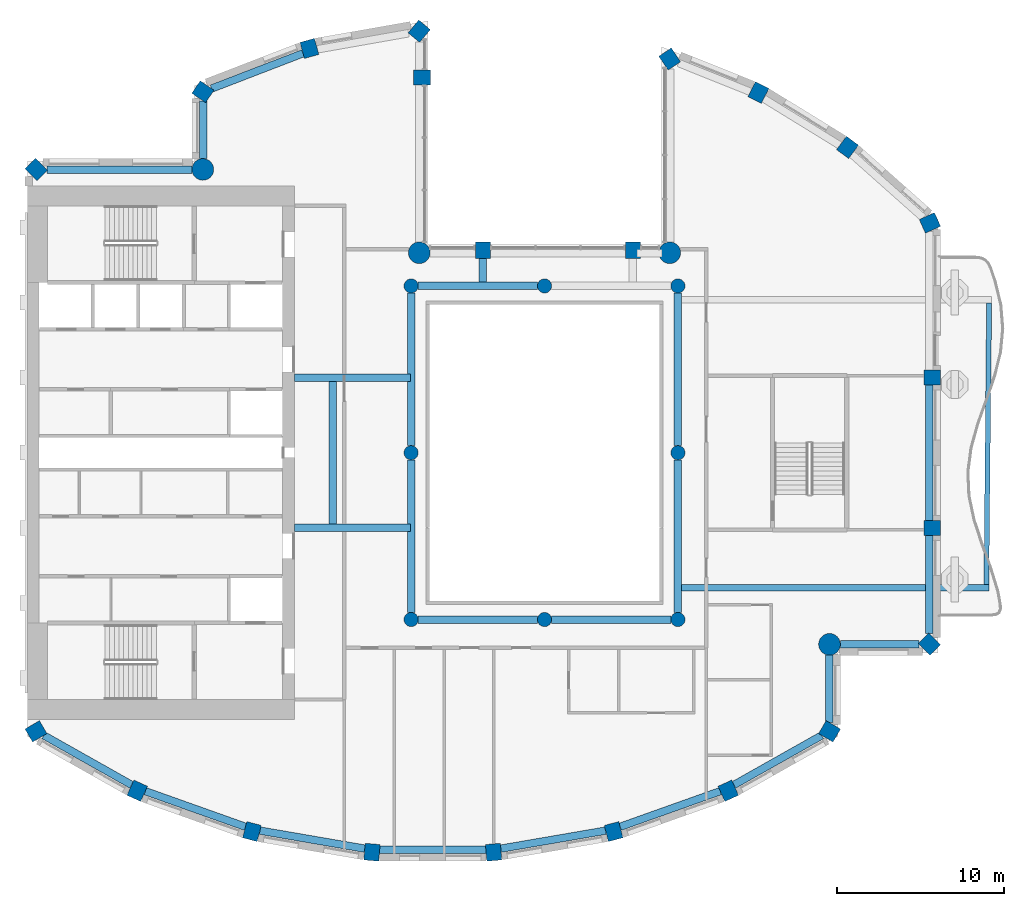
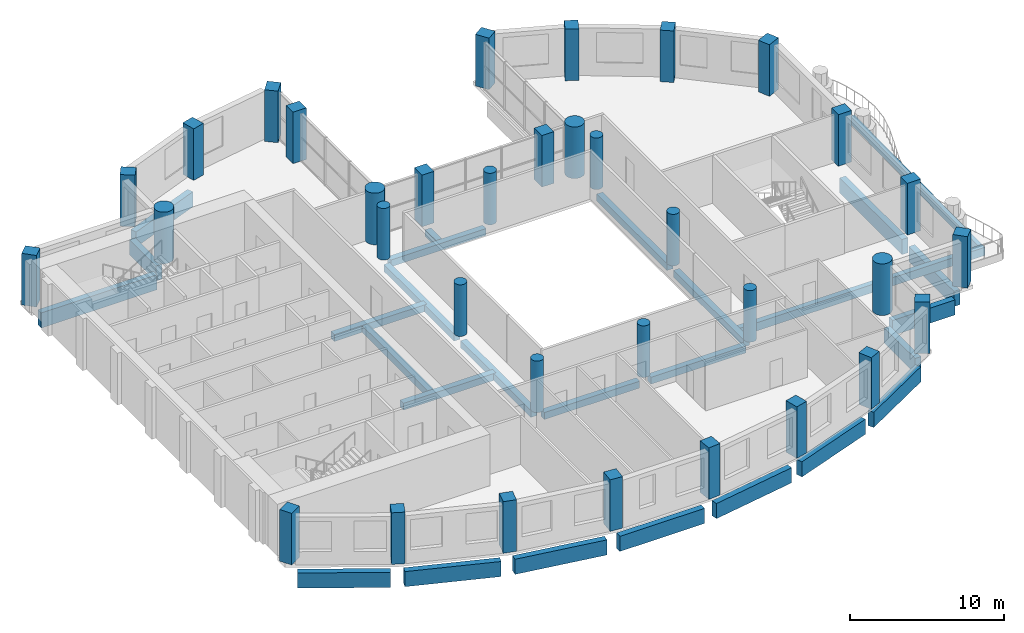
# One storey, part 1 of 14: 34 columns, 27 beams.
"""IFC4 building model written with IfcOpenShell, lengths in metres."""

from ifc_helpers import new_model, si_unit, direction, frame, origin, origin_2d, place, context, subcontext, project, spatial, rectangle, circle, extrude, material, material_profile, profile_set, type_object, element, save


model = new_model("IFC4")

# Units and contexts
model_context = context("Model", 3, precision=1e-05, world=origin(), true_north=direction((0.0, 1.0)))
body_context = subcontext(model_context, "Body", "Model", "MODEL_VIEW")
ifc_project = project(units=[si_unit("LENGTHUNIT", "METRE"), si_unit("AREAUNIT", "SQUARE_METRE"), si_unit("VOLUMEUNIT", "CUBIC_METRE"), si_unit("PLANEANGLEUNIT", "RADIAN"), si_unit("MASSUNIT", "GRAM", prefix="KILO")], contexts=[model_context])

# Site, building, storey
site_placement = place(None, origin())
site = spatial("IfcSite", under=ifc_project, at=site_placement, CompositionType="ELEMENT")
building_placement = place(site_placement, origin())
building = spatial("IfcBuilding", under=site, at=building_placement, Name="Cypress Arch Tower", CompositionType="ELEMENT")
storey_placement = place(building_placement, frame((0.0, 0.0, 272.10009765625)))
storey = spatial("IfcBuildingStorey", under=building, at=storey_placement, Name="L61", CompositionType="ELEMENT", Elevation=272.10009765625)

# Columns
ifc_material_1 = material(Name="Concrete C60/75", Category="concrete")
ifc_material_profile_1 = material_profile(ifc_material_1, rectangle(XDim=0.89990234375, YDim=1.0, at=origin_2d()), Name="RC 900x1000")
ifc_profile_set_1 = profile_set([ifc_material_profile_1], Name="Concrete C60/75")
column_type_1 = type_object("IfcColumnType", Name="Column RC 900x1000 Concrete C60/75", PredefinedType="COLUMN", material=ifc_profile_set_1)
for number, where, z_axis, x_axis, name in (
    (1, (8.5029296875, 23.606201171875, 0.0), (0.0, 0.0, 1.0), (-0.828469606019, -0.560034027451, 0.0), "Column L61 CC00"),
    (2, (6.300048828125, 12.14990234375, 0.0), (0.0, 0.0, 1.0), (-1.0, 0.0, 0.0), "Column L61 CC02"),
    (3, (-2.699951171875, 12.14990234375, 0.0), (0.0, 0.0, 1.0), (-1.0, 0.0, 0.0), "Column L61 CC03"),
    (4, (-6.35009765625, 22.5, 0.0), (0.0, 0.0, 1.0), (0.0, 1.0, 0.0), "Column L61 CC05"),
    (5, (-6.51611328125, 25.27490234375, 0.0), (0.0, 0.0, 1.0), (-0.766063514674, 0.642764880407, 0.0), "Column L61 CC06"),
    (6, (-13.0947265625, 24.241455078125, 0.0), (0.0, 0.0, 1.0), (-0.96345574646, -0.267867550506, 0.0), "Column L61 CC07"),
    (7, (-19.483154296875, 21.645263671875, 0.0), (0.0, 0.0, 1.0), (-0.565892599589, -0.824478966215, 0.0), "Column L61 CC08"),
    (8, (-29.478271484375, 16.978271484375, 0.0), (0.0, 0.0, 1.0), (-0.707106781187, -0.707106781187, 0.0), "Column L61 CC10"),
    (9, (-29.4912109375, -16.702880859375, 0.0), (0.0, 0.0, 1.0), (0.504399289829, -0.86347053014, 0.0), "Column L61 CC11"),
    (10, (-23.4189453125, -20.266845703125, 0.0), (0.0, 0.0, 1.0), (0.909932071487, -0.414757308891, 0.0), "Column L61 CC12"),
    (11, (-16.541748046875, -22.714599609375, 0.0), (0.0, 0.0, 1.0), (0.96735573689, -0.2534223319, 0.0), "Column L61 CC13"),
    (12, (-9.346923828125, -23.95361328125, 0.0), (0.0, 0.0, 1.0), (0.996368206733, -0.085149260784, 0.0), "Column L61 CC14"),
    (13, (-2.052978515625, -23.95361328125, 0.0), (0.0, 0.0, 1.0), (0.996368206733, 0.085149260784, 0.0), "Column L61 CC15"),
    (14, (5.1416015625, -22.714599609375, 0.0), (0.0, 0.0, 1.0), (0.96735573689, 0.2534223319, 0.0), "Column L61 CC16"),
    (15, (12.01904296875, -20.266845703125, 0.0), (0.0, 0.0, 1.0), (0.909932071487, 0.414757308891, 0.0), "Column L61 CC17"),
    (16, (18.09130859375, -16.702880859375, 0.0), (0.0, 0.0, 1.0), (0.504399289829, 0.86347053014, 0.0), "Column L61 CC18"),
    (17, (24.078369140625, -11.478271484375, 0.0), (0.0, 0.0, 1.0), (0.707106781187, 0.707106781187, 0.0), "Column L61 CC20"),
    (18, (24.25, -4.5, 0.0), (0.0, 0.0, 1.0), (0.0, 1.0, 0.0), "Column L61 CC21"),
    (19, (24.25, 4.5, 0.0), (0.0, 0.0, 1.0), (0.0, 1.0, 0.0), "Column L61 CC22"),
    (20, (24.109619140625, 13.77978515625, 0.0), (0.0, 0.0, 1.0), (-0.409765058504, 0.912191096662, 0.0), "Column L61 CC23"),
    (21, (19.168212890625, 18.307861328125, 0.0), (0.0, 0.0, 1.0), (-0.802798546114, 0.596250362144, 0.0), "Column L61 CC24"),
    (22, (13.82568359375, 21.59375, 0.0), (0.0, 0.0, 1.0), (-0.893106499805, 0.44984528452, 0.0), "Column L61 CC25"),
):
    element("IfcColumn", number, at=place(storey_placement, frame(where, z_axis=z_axis, x_axis=x_axis)), inside=storey, type_object=column_type_1, Name=name, PredefinedType="COLUMN", context=body_context, shape_type="SweptSolid", body=[
        extrude(rectangle(XDim=0.89990234375, YDim=1.0, at=origin_2d()), origin(), (0.0, 0.0, 1.0), 4.099853515625),
    ])
ifc_material_2 = material(Name="Concrete C60/75", Category="concrete")
ifc_material_profile_2 = material_profile(ifc_material_2, circle(Radius=0.425048828125, at=origin_2d()), Name="RC D850")
ifc_profile_set_2 = profile_set([ifc_material_profile_2], Name="Concrete C60/75")
column_type_2 = type_object("IfcColumnType", Name="Column RC D850 Concrete C60/75", PredefinedType="COLUMN", material=ifc_profile_set_2)
for number, where, z_axis, x_axis, name in (
    (23, (-7.0, -10.0, 0.0), (0.0, 0.0, 1.0), (1.0, 0.0, 0.0), "Column L61 RNG-L61-G-7-10"),
    (24, (-7.0, 0.0, 0.0), (0.0, 0.0, 1.0), (1.0, 0.0, 0.0), "Column L61 RNG-L61-G-7+0"),
    (25, (-7.0, 10.0, 0.0), (0.0, 0.0, 1.0), (1.0, 0.0, 0.0), "Column L61 RNG-L61-G-7+10"),
    (26, (1.0, -10.0, 0.0), (0.0, 0.0, 1.0), (1.0, 0.0, 0.0), "Column L61 RNG-L61-G+1-10"),
    (27, (1.0, 10.0, 0.0), (0.0, 0.0, 1.0), (1.0, 0.0, 0.0), "Column L61 RNG-L61-G+1+10"),
    (28, (9.0, -10.0, 0.0), (0.0, 0.0, 1.0), (1.0, 0.0, 0.0), "Column L61 RNG-L61-G+9-10"),
    (29, (9.0, 0.0, 0.0), (0.0, 0.0, 1.0), (1.0, 0.0, 0.0), "Column L61 RNG-L61-G+9+0"),
    (30, (9.0, 10.0, 0.0), (0.0, 0.0, 1.0), (1.0, 0.0, 0.0), "Column L61 RNG-L61-G+9+10"),
):
    element("IfcColumn", number, at=place(storey_placement, frame(where, z_axis=z_axis, x_axis=x_axis)), inside=storey, type_object=column_type_2, Name=name, PredefinedType="COLUMN", context=body_context, shape_type="SweptSolid", body=[
        extrude(circle(Radius=0.425048828125, at=origin_2d()), origin(), (0.0, 0.0, 1.0), 4.099853515625),
    ])
ifc_material_3 = material(Name="Concrete C60/75", Category="concrete")
ifc_material_profile_3 = material_profile(ifc_material_3, circle(Radius=0.64990234375, at=origin_2d()), Name="RC D1300")
ifc_profile_set_3 = profile_set([ifc_material_profile_3], Name="Concrete C60/75")
column_type_3 = type_object("IfcColumnType", Name="Mega-column RC D1300 Concrete C60/75", PredefinedType="COLUMN", material=ifc_profile_set_3)
for number, where, z_axis, x_axis, name in (
    (31, (8.51220703125, 11.98779296875, 0.0), (0.0, 0.0, 1.0), (1.0, 0.0, 0.0), "Column L61 CC01"),
    (32, (-6.51220703125, 11.98779296875, 0.0), (0.0, 0.0, 1.0), (1.0, 0.0, 0.0), "Column L61 CC04"),
    (33, (-19.48779296875, 16.98779296875, 0.0), (0.0, 0.0, 1.0), (1.0, 0.0, 0.0), "Column L61 CC09"),
    (34, (18.087890625, -11.48779296875, 0.0), (0.0, 0.0, 1.0), (1.0, 0.0, 0.0), "Column L61 CC19"),
):
    element("IfcColumn", number, at=place(storey_placement, frame(where, z_axis=z_axis, x_axis=x_axis)), inside=storey, type_object=column_type_3, Name=name, PredefinedType="COLUMN", context=body_context, shape_type="SweptSolid", body=[
        extrude(circle(Radius=0.64990234375, at=origin_2d()), origin(), (0.0, 0.0, 1.0), 4.099853515625),
    ])

# Beams
ifc_material_4 = material(Name="Concrete C50/60", Category="concrete")
ifc_material_profile_4 = material_profile(ifc_material_4, rectangle(XDim=0.300048828125, YDim=0.64990234375, at=origin_2d()), Name="RC 300x650")
ifc_profile_set_4 = profile_set([ifc_material_profile_4], Name="Concrete C50/60")
beam_type_1 = type_object("IfcBeamType", Name="Balcony edge beam RC 300x650 Concrete C50/60", PredefinedType="BEAM", material=ifc_profile_set_4)
beam_1_placement = place(storey_placement, frame((27.492919921875, -7.89990234375, -0.625), z_axis=(0.009731864031, 0.99995264429, 0.0), x_axis=(-0.99995264429, 0.009731864031, 0.0)))
element("IfcBeam", 35, at=beam_1_placement, inside=storey, type_object=beam_type_1, Name="Balcony edge beam L61 C17", PredefinedType="BEAM", context=body_context, shape_type="SweptSolid", body=[
    extrude(rectangle(XDim=0.300048828125, YDim=0.64990234375, at=origin_2d()), origin(), (0.0, 0.0, 1.0), 16.88330078125),
])
ifc_material_5 = material(Name="Concrete C50/60", Category="concrete")
ifc_material_profile_5 = material_profile(ifc_material_5, rectangle(XDim=0.39990234375, YDim=0.64990234375, at=origin_2d()), Name="RC 400x650")
ifc_profile_set_5 = profile_set([ifc_material_profile_5], Name="Concrete C50/60")
beam_type_2 = type_object("IfcBeamType", Name="Cantilever beam RC 400x650 Concrete C50/60", PredefinedType="BEAM", material=ifc_profile_set_5)
beam_2_placement = place(storey_placement, frame((9.22509765625, -8.10009765625, -0.625), z_axis=(1.0, 0.0, 0.0), x_axis=(0.0, 1.0, 0.0)))
element("IfcBeam", 36, at=beam_2_placement, inside=storey, type_object=beam_type_2, Name="Cantilever beam L61 C17 1", PredefinedType="BEAM", context=body_context, shape_type="SweptSolid", body=[
    extrude(rectangle(XDim=0.39990234375, YDim=0.64990234375, at=origin_2d()), origin(), (0.0, 0.0, 1.0), 18.417724609375),
])
ifc_material_6 = material(Name="Concrete C50/60", Category="concrete")
ifc_material_profile_6 = material_profile(ifc_material_6, rectangle(XDim=0.449951171875, YDim=0.550048828125, at=origin_2d()), Name="RC 450x550")
ifc_profile_set_6 = profile_set([ifc_material_profile_6], Name="Concrete C50/60")
beam_type_3 = type_object("IfcBeamType", Name="Floor beam RC 450x550 Concrete C50/60", PredefinedType="BEAM", material=ifc_profile_set_6)
for number, where, z_axis, x_axis, name in (
    (37, (-7.0, -9.574951171875, -0.5751953125), (0.0, 1.0, 0.0), (-1.0, 0.0, 0.0), "Floor beam L61 RB001"),
    (38, (-7.0, 0.425048828125, -0.5751953125), (0.0, 1.0, 0.0), (-1.0, 0.0, 0.0), "Floor beam L61 RB002"),
    (39, (9.0, -9.574951171875, -0.5751953125), (0.0, 1.0, 0.0), (-1.0, 0.0, 0.0), "Floor beam L61 RB003"),
    (40, (9.0, 0.425048828125, -0.5751953125), (0.0, 1.0, 0.0), (-1.0, 0.0, 0.0), "Floor beam L61 RB004"),
):
    element("IfcBeam", number, at=place(storey_placement, frame(where, z_axis=z_axis, x_axis=x_axis)), inside=storey, type_object=beam_type_3, Name=name, PredefinedType="BEAM", context=body_context, shape_type="SweptSolid", body=[
        extrude(rectangle(XDim=0.449951171875, YDim=0.550048828125, at=origin_2d()), origin(), (0.0, 0.0, 1.0), 9.14990234375),
    ])
for number, where, z_axis, x_axis, name in (
    (41, (-6.574951171875, -10.0, -0.5751953125), (1.0, 0.0, 0.0), (0.0, 1.0, 0.0), "Floor beam L61 RB005"),
    (42, (1.425048828125, -10.0, -0.5751953125), (1.0, 0.0, 0.0), (0.0, 1.0, 0.0), "Floor beam L61 RB006"),
    (43, (-6.574951171875, 10.0, -0.5751953125), (1.0, 0.0, 0.0), (0.0, 1.0, 0.0), "Floor beam L61 RB007"),
):
    element("IfcBeam", number, at=place(storey_placement, frame(where, z_axis=z_axis, x_axis=x_axis)), inside=storey, type_object=beam_type_3, Name=name, PredefinedType="BEAM", context=body_context, shape_type="SweptSolid", body=[
        extrude(rectangle(XDim=0.449951171875, YDim=0.550048828125, at=origin_2d()), origin(), (0.0, 0.0, 1.0), 7.14990234375),
    ])
for number, where, z_axis, x_axis, name in (
    (44, (-14.0, -4.5, -0.5751953125), (1.0, 0.0, 0.0), (0.0, 1.0, 0.0), "Floor beam L61 FB009"),
    (45, (-14.0, 4.5, -0.5751953125), (1.0, 0.0, 0.0), (0.0, 1.0, 0.0), "Floor beam L61 FB010"),
):
    element("IfcBeam", number, at=place(storey_placement, frame(where, z_axis=z_axis, x_axis=x_axis)), inside=storey, type_object=beam_type_3, Name=name, PredefinedType="BEAM", context=body_context, shape_type="SweptSolid", body=[
        extrude(rectangle(XDim=0.449951171875, YDim=0.550048828125, at=origin_2d()), origin(), (0.0, 0.0, 1.0), 6.949951171875),
    ])
beam_3_placement = place(storey_placement, frame((-11.699951171875, -4.27490234375, -0.5751953125), z_axis=(0.0, 1.0, 0.0), x_axis=(-1.0, 0.0, 0.0)))
element("IfcBeam", 46, at=beam_3_placement, inside=storey, type_object=beam_type_3, Name="Floor beam L61 FB011", PredefinedType="BEAM", context=body_context, shape_type="SweptSolid", body=[
    extrude(rectangle(XDim=0.449951171875, YDim=0.550048828125, at=origin_2d()), origin(), (0.0, 0.0, 1.0), 8.5498046875),
])
beam_4_placement = place(storey_placement, frame((-2.699951171875, 10.22509765625, -0.5751953125), z_axis=(0.0, 1.0, 0.0), x_axis=(-1.0, 0.0, 0.0)))
element("IfcBeam", 47, at=beam_4_placement, inside=storey, type_object=beam_type_3, Name="Floor beam L61 FB012", PredefinedType="BEAM", context=body_context, shape_type="SweptSolid", body=[
    extrude(rectangle(XDim=0.449951171875, YDim=0.550048828125, at=origin_2d()), origin(), (0.0, 0.0, 1.0), 1.4248046875),
])
ifc_material_7 = material(Name="Concrete C50/60", Category="concrete")
ifc_material_profile_7 = material_profile(ifc_material_7, rectangle(XDim=0.449951171875, YDim=1.199951171875, at=origin_2d()), Name="RC 450x1200")
ifc_profile_set_7 = profile_set([ifc_material_profile_7], Name="Concrete C50/60")
beam_type_4 = type_object("IfcBeamType", Name="Spandrel beam RC 450x1200 Concrete C50/60", PredefinedType="SPANDREL", material=ifc_profile_set_7)
beam_5_placement = place(storey_placement, frame((-13.48046875, 23.94921875, -1.550048828125), z_axis=(-0.933138853319, -0.359516175472, 0.0), x_axis=(0.359516175472, -0.933138853319, 0.0)))
element("IfcBeam", 48, at=beam_5_placement, inside=storey, type_object=beam_type_4, Name="Spandrel beam L61 BC04-0", PredefinedType="SPANDREL", context=body_context, shape_type="SweptSolid", body=[
    extrude(rectangle(XDim=0.449951171875, YDim=1.199951171875, at=origin_2d()), origin(), (0.0, 0.0, 1.0), 5.878173828125),
])
beam_6_placement = place(storey_placement, frame((-19.47509765625, 21.09375, -1.550048828125), z_axis=(0.0, -1.0, 0.0), x_axis=(1.0, 0.0, 0.0)))
element("IfcBeam", 49, at=beam_6_placement, inside=storey, type_object=beam_type_4, Name="Spandrel beam L61 BC05-0", PredefinedType="SPANDREL", context=body_context, shape_type="SweptSolid", body=[
    extrude(rectangle(XDim=0.449951171875, YDim=1.199951171875, at=origin_2d()), origin(), (0.0, 0.0, 1.0), 3.456298828125),
])
beam_7_placement = place(storey_placement, frame((-20.137451171875, 16.97509765625, -1.550048828125), z_axis=(-1.0, 0.0, 0.0), x_axis=(0.0, -1.0, 0.0)))
element("IfcBeam", 50, at=beam_7_placement, inside=storey, type_object=beam_type_4, Name="Spandrel beam L61 BC06-0", PredefinedType="SPANDREL", context=body_context, shape_type="SweptSolid", body=[
    extrude(rectangle(XDim=0.449951171875, YDim=1.199951171875, at=origin_2d()), origin(), (0.0, 0.0, 1.0), 8.701171875),
])
beam_8_placement = place(storey_placement, frame((-29.02099609375, -16.94921875, -1.550048828125), z_axis=(0.871059543975, -0.491177433165, 0.0), x_axis=(0.491177433165, 0.871059543975, 0.0)))
element("IfcBeam", 51, at=beam_8_placement, inside=storey, type_object=beam_type_4, Name="Spandrel beam L61 BC08-0", PredefinedType="SPANDREL", context=body_context, shape_type="SweptSolid", body=[
    extrude(rectangle(XDim=0.449951171875, YDim=1.199951171875, at=origin_2d()), origin(), (0.0, 0.0, 1.0), 6.045654296875),
])
beam_9_placement = place(storey_placement, frame((-22.93603515625, -20.2919921875, -1.550048828125), z_axis=(0.942120065582, -0.33527568064, 0.0), x_axis=(0.33527568064, 0.942120065582, 0.0)))
element("IfcBeam", 52, at=beam_9_placement, inside=storey, type_object=beam_type_4, Name="Spandrel beam L61 BC09-0", PredefinedType="SPANDREL", context=body_context, shape_type="SweptSolid", body=[
    extrude(rectangle(XDim=0.449951171875, YDim=1.199951171875, at=origin_2d()), origin(), (0.0, 0.0, 1.0), 6.373046875),
])
beam_10_placement = place(storey_placement, frame((-16.061279296875, -22.656982421875, -1.550048828125), z_axis=(0.985502990778, -0.169658053646, 0.0), x_axis=(0.169658053646, 0.985502990778, 0.0)))
element("IfcBeam", 53, at=beam_10_placement, inside=storey, type_object=beam_type_4, Name="Spandrel beam L61 BC10-0", PredefinedType="SPANDREL", context=body_context, shape_type="SweptSolid", body=[
    extrude(rectangle(XDim=0.449951171875, YDim=1.199951171875, at=origin_2d()), origin(), (0.0, 0.0, 1.0), 6.373291015625),
])
beam_11_placement = place(storey_placement, frame((-8.883544921875, -23.81494140625, -1.550048828125), z_axis=(1.0, 0.0, 0.0), x_axis=(0.0, 1.0, 0.0)))
element("IfcBeam", 54, at=beam_11_placement, inside=storey, type_object=beam_type_4, Name="Spandrel beam L61 BC11-0", PredefinedType="SPANDREL", context=body_context, shape_type="SweptSolid", body=[
    extrude(rectangle(XDim=0.449951171875, YDim=1.199951171875, at=origin_2d()), origin(), (0.0, 0.0, 1.0), 6.366943359375),
])
beam_12_placement = place(storey_placement, frame((-1.619873046875, -23.73828125, -1.550048828125), z_axis=(0.985504093315, 0.169651649149, 0.0), x_axis=(-0.169651649149, 0.985504093315, 0.0)))
element("IfcBeam", 55, at=beam_12_placement, inside=storey, type_object=beam_type_4, Name="Spandrel beam L61 BC12-0", PredefinedType="SPANDREL", context=body_context, shape_type="SweptSolid", body=[
    extrude(rectangle(XDim=0.449951171875, YDim=1.199951171875, at=origin_2d()), origin(), (0.0, 0.0, 1.0), 6.37353515625),
])
beam_13_placement = place(storey_placement, frame((5.531982421875, -22.4287109375, -1.550048828125), z_axis=(0.942115759102, 0.335287781541, 0.0), x_axis=(-0.335287781541, 0.942115759102, 0.0)))
element("IfcBeam", 56, at=beam_13_placement, inside=storey, type_object=beam_type_4, Name="Spandrel beam L61 BC13-0", PredefinedType="SPANDREL", context=body_context, shape_type="SweptSolid", body=[
    extrude(rectangle(XDim=0.449951171875, YDim=1.199951171875, at=origin_2d()), origin(), (0.0, 0.0, 1.0), 6.372802734375),
])
beam_14_placement = place(storey_placement, frame((12.35498046875, -19.918701171875, -1.550048828125), z_axis=(0.871059543975, 0.491177433165, 0.0), x_axis=(-0.491177433165, 0.871059543975, 0.0)))
element("IfcBeam", 57, at=beam_14_placement, inside=storey, type_object=beam_type_4, Name="Spandrel beam L61 BC14-0", PredefinedType="SPANDREL", context=body_context, shape_type="SweptSolid", body=[
    extrude(rectangle(XDim=0.449951171875, YDim=1.199951171875, at=origin_2d()), origin(), (0.0, 0.0, 1.0), 6.045654296875),
])
beam_15_placement = place(storey_placement, frame((18.074951171875, -16.172119140625, -1.550048828125), z_axis=(0.0, 1.0, 0.0), x_axis=(-1.0, 0.0, 0.0)))
element("IfcBeam", 58, at=beam_15_placement, inside=storey, type_object=beam_type_4, Name="Spandrel beam L61 BC15-0", PredefinedType="SPANDREL", context=body_context, shape_type="SweptSolid", body=[
    extrude(rectangle(XDim=0.449951171875, YDim=1.199951171875, at=origin_2d()), origin(), (0.0, 0.0, 1.0), 4.03466796875),
])
beam_16_placement = place(storey_placement, frame((18.737548828125, -11.47509765625, -1.550048828125), z_axis=(1.0, 0.0, 0.0), x_axis=(0.0, 1.0, 0.0)))
element("IfcBeam", 59, at=beam_16_placement, inside=storey, type_object=beam_type_4, Name="Spandrel beam L61 BC16-0", PredefinedType="SPANDREL", context=body_context, shape_type="SweptSolid", body=[
    extrude(rectangle(XDim=0.449951171875, YDim=1.199951171875, at=origin_2d()), origin(), (0.0, 0.0, 1.0), 4.701171875),
])
beam_17_placement = place(storey_placement, frame((24.074951171875, -10.838623046875, -1.550048828125), z_axis=(0.0, 1.0, 0.0), x_axis=(-1.0, 0.0, 0.0)))
element("IfcBeam", 60, at=beam_17_placement, inside=storey, type_object=beam_type_4, Name="Spandrel beam L61 BC17-0", PredefinedType="SPANDREL", context=body_context, shape_type="SweptSolid", body=[
    extrude(rectangle(XDim=0.449951171875, YDim=1.199951171875, at=origin_2d()), origin(), (0.0, 0.0, 1.0), 5.888671875),
])
beam_18_placement = place(storey_placement, frame((24.074951171875, -4.050048828125, -1.550048828125), z_axis=(0.0, 1.0, 0.0), x_axis=(-1.0, 0.0, 0.0)))
element("IfcBeam", 61, at=beam_18_placement, inside=storey, type_object=beam_type_4, Name="Spandrel beam L61 BC17-1", PredefinedType="SPANDREL", context=body_context, shape_type="SweptSolid", body=[
    extrude(rectangle(XDim=0.449951171875, YDim=1.199951171875, at=origin_2d()), origin(), (0.0, 0.0, 1.0), 8.10009765625),
])

save(model, "model.ifc")
